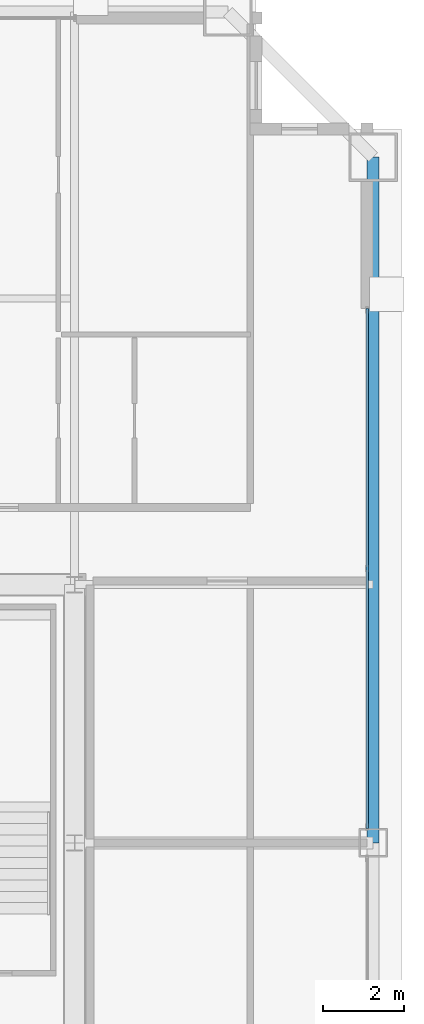
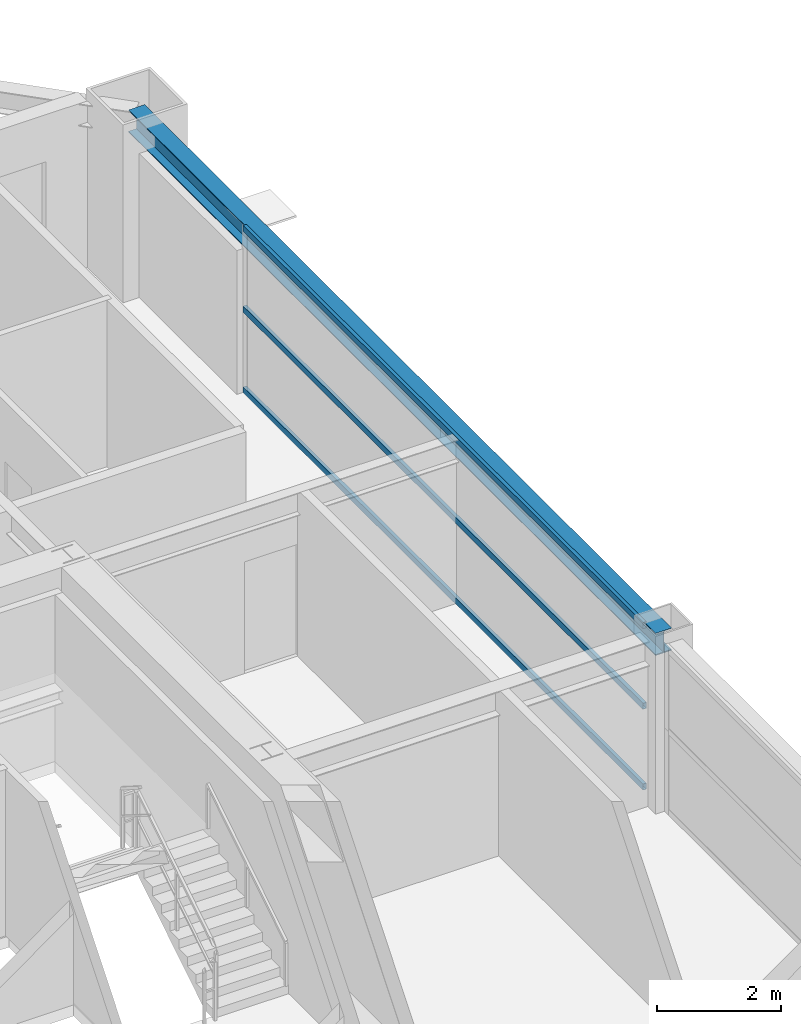
# One storey, part 21 of 37: 3 members, 1 beam, 1 element without a shape of its own.
"""IFC4 building model written with IfcOpenShell, lengths in metres."""

from ifc_helpers import new_model, si_unit, direction, frame, origin, origin_2d, place, context, subcontext, project, spatial, hollow_rectangle, i_section, extrude, source, transform, mapped, material, layer, layer_set, material_profile, profile_set, type_object, element, aggregate, save


model = new_model("IFC4")

# Units and contexts
model_context = context("Model", 3, precision=1e-05, world=origin(), true_north=direction((0.0, 1.0)))
body_context = subcontext(model_context, "Body", "Model", "MODEL_VIEW")
ifc_project = project(units=[si_unit("LENGTHUNIT", "METRE"), si_unit("AREAUNIT", "SQUARE_METRE"), si_unit("VOLUMEUNIT", "CUBIC_METRE"), si_unit("PLANEANGLEUNIT", "RADIAN"), si_unit("MASSUNIT", "GRAM", prefix="KILO"), si_unit("THERMODYNAMICTEMPERATUREUNIT", "KELVIN"), si_unit("POWERUNIT", "WATT")], contexts=[model_context])

# Site, building, storey
site_placement = place(None, origin())
site = spatial("IfcSite", under=ifc_project, at=site_placement, CompositionType="ELEMENT")
building_placement = place(site_placement, origin())
building = spatial("IfcBuilding", under=site, at=building_placement, Name="Yuzanri Waterfront Tower", CompositionType="ELEMENT")
storey_placement = place(building_placement, frame((0.0, 0.0, 252.10009765625)))
storey = spatial("IfcBuildingStorey", under=building, at=storey_placement, Name="L67", CompositionType="ELEMENT", Elevation=252.10009765625)

# Beam
ifc_material_1 = material(Name="Steel Q355B", Category="steel")
ifc_material_profile_1 = material_profile(ifc_material_1, i_section(OverallWidth=0.300048828125, OverallDepth=0.43994140625, WebThickness=0.010986328125, FlangeThickness=0.01806640625, at=origin_2d()), Name="HM 440x300x11x18")
ifc_profile_set_1 = profile_set([ifc_material_profile_1], Name="Steel Q355B")
beam_type = type_object("IfcBeamType", Name="Perimeter Spandrel Q355B HM 440x300", PredefinedType="SPANDREL", material=ifc_profile_set_1)
shared_shape_1 = source(origin(), body_context, "Body", "SweptSolid", [
    extrude(i_section(OverallWidth=0.300048828125, OverallDepth=0.43994140625, WebThickness=0.010986328125, FlangeThickness=0.01806640625, at=origin_2d()), origin(), (0.0, 0.0, 1.0), 17.0),
])
beam_placement = place(storey_placement, frame((57.60009765625, 25.800048828125, 3.059814453125), z_axis=(0.0, 1.0, 0.0), x_axis=(-1.0, 0.0, 0.0)))
element("IfcBeam", 1, at=beam_placement, inside=storey, type_object=beam_type, Name="L67 Perimeter Spandrel E2-E3", PredefinedType="SPANDREL", context=body_context, shape_type="MappedRepresentation", body=[
    mapped(shared_shape_1, transform((0.0, 0.0, 0.0), scale=1.0)),
])

# Curtain wall, members
ifc_material_2 = material(Name="Anodized Architectural Bronze", Category="metal")
ifc_layer = layer(ifc_material_2, 0.159912109375)
ifc_layer_set = layer_set([ifc_layer], Name="Anodized Architectural Bronze")
curtain_wall_type = type_object("IfcCurtainWallType", Name="Anodized Bronze Mid-Rise Residential Acoustic Unitized Curtain Wall 7200", PredefinedType="NOTDEFINED", material=ifc_layer_set)
curtain_wall_placement = place(storey_placement, origin())
curtain_wall = element("IfcCurtainWall", 2, at=curtain_wall_placement, inside=storey, type_object=curtain_wall_type, Name="L67 Curtain Wall CW-L67-ER", PredefinedType="NOTDEFINED")
ifc_material_3 = material(Name="Anodized Architectural Bronze", Category="metal")
ifc_material_profile_2 = material_profile(ifc_material_3, hollow_rectangle(XDim=0.06494140625, YDim=0.1201171875, WallThickness=0.00341796875, at=origin_2d()), Name="CWT 65x120")
ifc_profile_set_2 = profile_set([ifc_material_profile_2], Name="Anodized Architectural Bronze")
member_type = type_object("IfcMemberType", Name="Anodized Bronze Secondary Curtain-Wall Transom 65x120", PredefinedType="USERDEFINED", material=ifc_profile_set_2)
shared_shape_2 = source(origin(), body_context, "Body", "SweptSolid", [
    extrude(hollow_rectangle(XDim=0.06494140625, YDim=0.1201171875, WallThickness=0.00341796875, at=origin_2d()), origin(), (0.0, 0.0, 1.0), 12.900146484375),
])
member_1_placement = place(storey_placement, frame((57.449951171875, 26.14990234375, 0.0498046875), z_axis=(0.0, 1.0, 0.0), x_axis=(-1.0, 0.0, 0.0)))
member_1 = element("IfcMember", 3, at=member_1_placement, type_object=member_type, Name="CW-L67-ER Transom 1", ObjectType="TRANSOM", PredefinedType="USERDEFINED", context=body_context, shape_type="MappedRepresentation", body=[
    mapped(shared_shape_2, transform((0.0, 0.0, 0.0), scale=1.0)),
])
member_2_placement = place(storey_placement, frame((57.449951171875, 26.14990234375, 1.639892578125), z_axis=(0.0, 1.0, 0.0), x_axis=(-1.0, 0.0, 0.0)))
member_2 = element("IfcMember", 4, at=member_2_placement, type_object=member_type, Name="CW-L67-ER Transom 2", ObjectType="TRANSOM", PredefinedType="USERDEFINED", context=body_context, shape_type="MappedRepresentation", body=[
    mapped(shared_shape_2, transform((0.0, 0.0, 0.0), scale=1.0)),
])
member_3_placement = place(storey_placement, frame((57.449951171875, 26.14990234375, 3.22998046875), z_axis=(0.0, 1.0, 0.0), x_axis=(-1.0, 0.0, 0.0)))
member_3 = element("IfcMember", 5, at=member_3_placement, type_object=member_type, Name="CW-L67-ER Transom 3", ObjectType="TRANSOM", PredefinedType="USERDEFINED", context=body_context, shape_type="MappedRepresentation", body=[
    mapped(shared_shape_2, transform((0.0, 0.0, 0.0), scale=1.0)),
])
aggregate(curtain_wall, [member_1, member_2, member_3])

save(model, "model.ifc")
